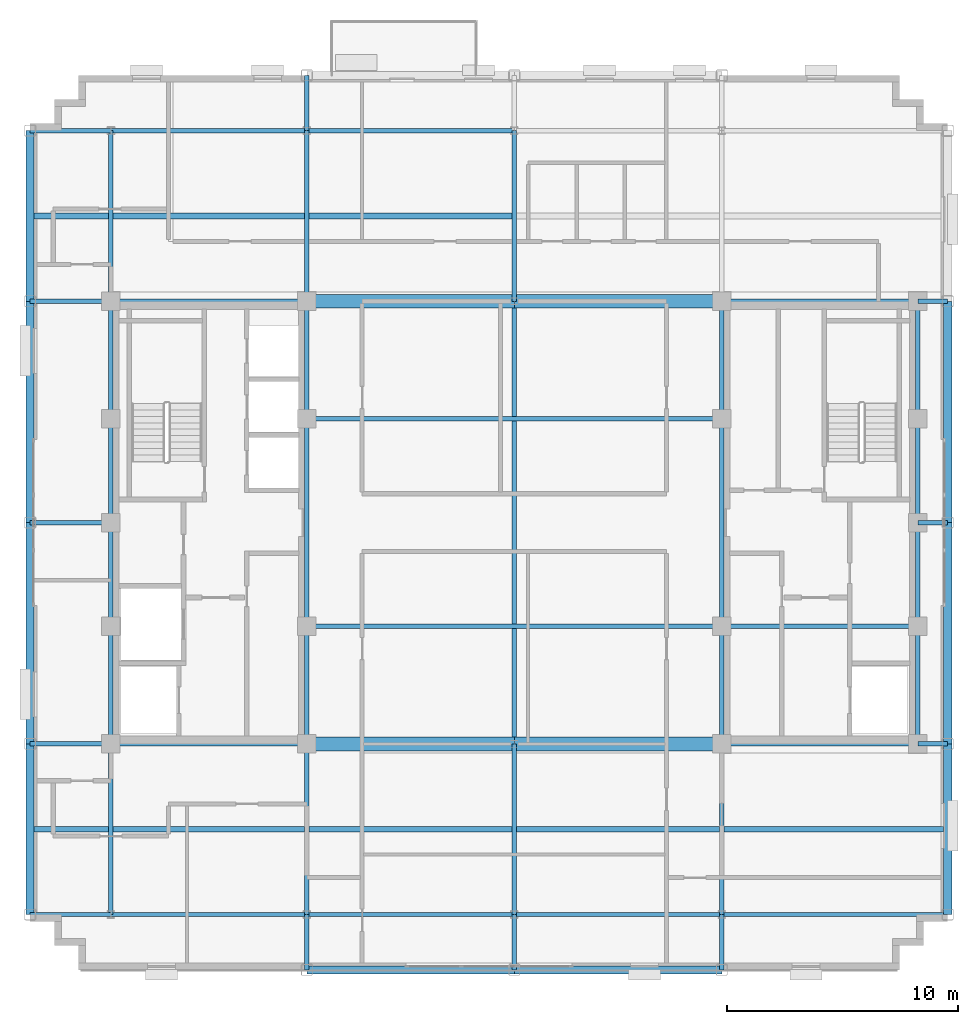
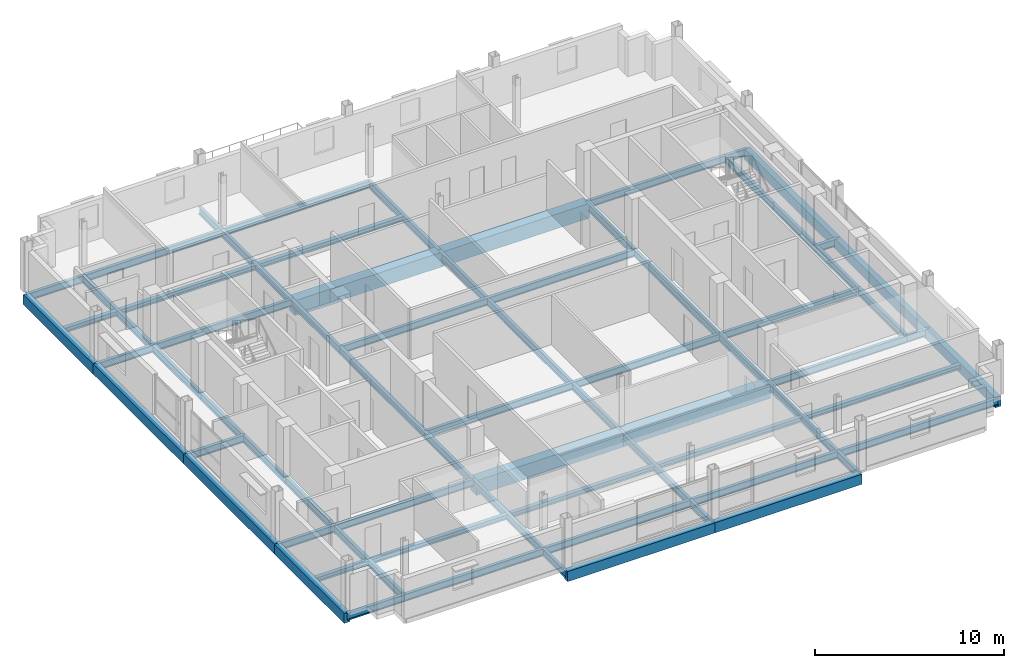
# One storey, part 4 of 16: 68 beams.
"""IFC4 building model written with IfcOpenShell, lengths in metres."""

from ifc_helpers import new_model, si_unit, direction, frame, origin, origin_2d, place, context, subcontext, project, spatial, rectangle, i_section, extrude, material, material_profile, profile_set, type_object, element, save


model = new_model("IFC4")

# Units and contexts
model_context = context("Model", 3, precision=1e-05, world=origin(), true_north=direction((0.0, 1.0)))
body_context = subcontext(model_context, "Body", "Model", "MODEL_VIEW")
ifc_project = project(units=[si_unit("LENGTHUNIT", "METRE"), si_unit("AREAUNIT", "SQUARE_METRE"), si_unit("VOLUMEUNIT", "CUBIC_METRE"), si_unit("PLANEANGLEUNIT", "RADIAN"), si_unit("MASSUNIT", "GRAM", prefix="KILO")], contexts=[model_context])

# Site, building, storey
site_placement = place(None, origin())
site = spatial("IfcSite", under=ifc_project, at=site_placement, CompositionType="ELEMENT")
building_placement = place(site_placement, origin())
building = spatial("IfcBuilding", under=site, at=building_placement, Name="Nuvemarco Arch Tower", CompositionType="ELEMENT")
storey_placement = place(building_placement, frame((0.0, 0.0, 249.300048828125)))
storey = spatial("IfcBuildingStorey", under=building, at=storey_placement, Name="L66", CompositionType="ELEMENT", Elevation=249.300048828125)

# Beams
ifc_material_1 = material(Name="Concrete C60/75", Category="concrete")
ifc_material_profile_1 = material_profile(ifc_material_1, rectangle(XDim=0.60009765625, YDim=0.949951171875, at=origin_2d()), Name="RC-BM-600x950")
ifc_profile_set_1 = profile_set([ifc_material_profile_1], Name="Concrete C60/75")
beam_type_1 = type_object("IfcBeamType", Name="BM-COUP-RC", PredefinedType="LINTEL", material=ifc_profile_set_1)
for number, where, z_axis, x_axis, name in (
    (1, (-9.0, -9.60009765625, -0.755126953125), (1.0, 0.0, 0.0), (0.0, 1.0, 0.0), "L66 structural beam BGEW_L66_0_-9.6_-9.0"),
    (2, (0.0, -9.60009765625, -0.755126953125), (1.0, 0.0, 0.0), (0.0, 1.0, 0.0), "L66 structural beam BGEW_L66_0_-9.6_+0.0"),
    (3, (-9.0, 9.60009765625, -0.755126953125), (1.0, 0.0, 0.0), (0.0, 1.0, 0.0), "L66 structural beam BGEW_L66_0_+9.6_-9.0"),
    (4, (0.0, 9.60009765625, -0.755126953125), (1.0, 0.0, 0.0), (0.0, 1.0, 0.0), "L66 structural beam BGEW_L66_0_+9.6_+0.0"),
):
    element("IfcBeam", number, at=place(storey_placement, frame(where, z_axis=z_axis, x_axis=x_axis)), inside=storey, type_object=beam_type_1, Name=name, PredefinedType="LINTEL", context=body_context, shape_type="SweptSolid", body=[
        extrude(rectangle(XDim=0.60009765625, YDim=0.949951171875, at=origin_2d()), origin(), (0.0, 0.0, 1.0), 9.0),
    ])
ifc_material_2 = material(Name="Steel S355", Category="steel")
ifc_material_profile_2 = material_profile(ifc_material_2, i_section(OverallWidth=0.19189453125, OverallDepth=0.462890625, WebThickness=0.010498046875, FlangeThickness=0.017578125, FilletRadius=0.014892578125, at=origin_2d()), Name="W460x89")
ifc_profile_set_2 = profile_set([ifc_material_profile_2], Name="Steel S355")
beam_type_2 = type_object("IfcBeamType", Name="BM-GIRD-460", PredefinedType="BEAM", material=ifc_profile_set_2)
beam_1_placement = place(storey_placement, frame((-17.5, -17.0, -0.511474609375), z_axis=(0.0, 1.0, 0.0), x_axis=(-1.0, 0.0, 0.0)))
element("IfcBeam", 5, at=beam_1_placement, inside=storey, type_object=beam_type_2, Name="L66 structural beam BGNS_L66_0_-17.5_-17.0", PredefinedType="BEAM", context=body_context, shape_type="SweptSolid", body=[
    extrude(i_section(OverallWidth=0.19189453125, OverallDepth=0.462890625, WebThickness=0.010498046875, FlangeThickness=0.017578125, FilletRadius=0.014892578125, at=origin_2d()), origin(), (0.0, 0.0, 1.0), 7.39990234375),
])
beam_2_placement = place(storey_placement, frame((-17.5, -9.60009765625, -0.511474609375), z_axis=(0.0, 1.0, 0.0), x_axis=(-1.0, 0.0, 0.0)))
element("IfcBeam", 6, at=beam_2_placement, inside=storey, type_object=beam_type_2, Name="L66 structural beam BGNS_L66_0_-17.5_-9.6", PredefinedType="BEAM", context=body_context, shape_type="SweptSolid", body=[
    extrude(i_section(OverallWidth=0.19189453125, OverallDepth=0.462890625, WebThickness=0.010498046875, FlangeThickness=0.017578125, FilletRadius=0.014892578125, at=origin_2d()), origin(), (0.0, 0.0, 1.0), 5.10009765625),
])
for number, where, z_axis, x_axis, name in (
    (7, (-17.5, -4.5, -0.511474609375), (0.0, 1.0, 0.0), (-1.0, 0.0, 0.0), "L66 structural beam BGNS_L66_0_-17.5_-4.5"),
    (8, (-17.5, 0.0, -0.511474609375), (0.0, 1.0, 0.0), (-1.0, 0.0, 0.0), "L66 structural beam BGNS_L66_0_-17.5_+0.0"),
):
    element("IfcBeam", number, at=place(storey_placement, frame(where, z_axis=z_axis, x_axis=x_axis)), inside=storey, type_object=beam_type_2, Name=name, PredefinedType="BEAM", context=body_context, shape_type="SweptSolid", body=[
        extrude(i_section(OverallWidth=0.19189453125, OverallDepth=0.462890625, WebThickness=0.010498046875, FlangeThickness=0.017578125, FilletRadius=0.014892578125, at=origin_2d()), origin(), (0.0, 0.0, 1.0), 4.5),
    ])
beam_3_placement = place(storey_placement, frame((-17.5, 4.5, -0.511474609375), z_axis=(0.0, 1.0, 0.0), x_axis=(-1.0, 0.0, 0.0)))
element("IfcBeam", 9, at=beam_3_placement, inside=storey, type_object=beam_type_2, Name="L66 structural beam BGNS_L66_0_-17.5_+4.5", PredefinedType="BEAM", context=body_context, shape_type="SweptSolid", body=[
    extrude(i_section(OverallWidth=0.19189453125, OverallDepth=0.462890625, WebThickness=0.010498046875, FlangeThickness=0.017578125, FilletRadius=0.014892578125, at=origin_2d()), origin(), (0.0, 0.0, 1.0), 5.10009765625),
])
beam_4_placement = place(storey_placement, frame((-17.5, 9.60009765625, -0.511474609375), z_axis=(0.0, 1.0, 0.0), x_axis=(-1.0, 0.0, 0.0)))
element("IfcBeam", 10, at=beam_4_placement, inside=storey, type_object=beam_type_2, Name="L66 structural beam BGNS_L66_0_-17.5_+9.6", PredefinedType="BEAM", context=body_context, shape_type="SweptSolid", body=[
    extrude(i_section(OverallWidth=0.19189453125, OverallDepth=0.462890625, WebThickness=0.010498046875, FlangeThickness=0.017578125, FilletRadius=0.014892578125, at=origin_2d()), origin(), (0.0, 0.0, 1.0), 7.39990234375),
])
beam_5_placement = place(storey_placement, frame((-9.0, -19.39990234375, -0.511474609375), z_axis=(0.0, 1.0, 0.0), x_axis=(-1.0, 0.0, 0.0)))
element("IfcBeam", 11, at=beam_5_placement, inside=storey, type_object=beam_type_2, Name="L66 structural beam BGNS_L66_0_-9.0_-19.4", PredefinedType="BEAM", context=body_context, shape_type="SweptSolid", body=[
    extrude(i_section(OverallWidth=0.19189453125, OverallDepth=0.462890625, WebThickness=0.010498046875, FlangeThickness=0.017578125, FilletRadius=0.014892578125, at=origin_2d()), origin(), (0.0, 0.0, 1.0), 2.39990234375),
])
beam_6_placement = place(storey_placement, frame((-9.0, -17.0, -0.511474609375), z_axis=(0.0, 1.0, 0.0), x_axis=(-1.0, 0.0, 0.0)))
element("IfcBeam", 12, at=beam_6_placement, inside=storey, type_object=beam_type_2, Name="L66 structural beam BGNS_L66_0_-9.0_-17.0", PredefinedType="BEAM", context=body_context, shape_type="SweptSolid", body=[
    extrude(i_section(OverallWidth=0.19189453125, OverallDepth=0.462890625, WebThickness=0.010498046875, FlangeThickness=0.017578125, FilletRadius=0.014892578125, at=origin_2d()), origin(), (0.0, 0.0, 1.0), 7.39990234375),
])
beam_7_placement = place(storey_placement, frame((-9.0, -9.60009765625, -0.511474609375), z_axis=(0.0, 1.0, 0.0), x_axis=(-1.0, 0.0, 0.0)))
element("IfcBeam", 13, at=beam_7_placement, inside=storey, type_object=beam_type_2, Name="L66 structural beam BGNS_L66_0_-9.0_-9.6", PredefinedType="BEAM", context=body_context, shape_type="SweptSolid", body=[
    extrude(i_section(OverallWidth=0.19189453125, OverallDepth=0.462890625, WebThickness=0.010498046875, FlangeThickness=0.017578125, FilletRadius=0.014892578125, at=origin_2d()), origin(), (0.0, 0.0, 1.0), 5.10009765625),
])
beam_8_placement = place(storey_placement, frame((-9.0, -4.5, -0.511474609375), z_axis=(0.0, 1.0, 0.0), x_axis=(-1.0, 0.0, 0.0)))
element("IfcBeam", 14, at=beam_8_placement, inside=storey, type_object=beam_type_2, Name="L66 structural beam BGNS_L66_0_-9.0_-4.5", PredefinedType="BEAM", context=body_context, shape_type="SweptSolid", body=[
    extrude(i_section(OverallWidth=0.19189453125, OverallDepth=0.462890625, WebThickness=0.010498046875, FlangeThickness=0.017578125, FilletRadius=0.014892578125, at=origin_2d()), origin(), (0.0, 0.0, 1.0), 9.0),
])
beam_9_placement = place(storey_placement, frame((-9.0, 4.5, -0.511474609375), z_axis=(0.0, 1.0, 0.0), x_axis=(-1.0, 0.0, 0.0)))
element("IfcBeam", 15, at=beam_9_placement, inside=storey, type_object=beam_type_2, Name="L66 structural beam BGNS_L66_0_-9.0_+4.5", PredefinedType="BEAM", context=body_context, shape_type="SweptSolid", body=[
    extrude(i_section(OverallWidth=0.19189453125, OverallDepth=0.462890625, WebThickness=0.010498046875, FlangeThickness=0.017578125, FilletRadius=0.014892578125, at=origin_2d()), origin(), (0.0, 0.0, 1.0), 5.10009765625),
])
beam_10_placement = place(storey_placement, frame((-9.0, 9.60009765625, -0.511474609375), z_axis=(0.0, 1.0, 0.0), x_axis=(-1.0, 0.0, 0.0)))
element("IfcBeam", 16, at=beam_10_placement, inside=storey, type_object=beam_type_2, Name="L66 structural beam BGNS_L66_0_-9.0_+9.6", PredefinedType="BEAM", context=body_context, shape_type="SweptSolid", body=[
    extrude(i_section(OverallWidth=0.19189453125, OverallDepth=0.462890625, WebThickness=0.010498046875, FlangeThickness=0.017578125, FilletRadius=0.014892578125, at=origin_2d()), origin(), (0.0, 0.0, 1.0), 7.39990234375),
])
for number, where, z_axis, x_axis, name in (
    (17, (-9.0, 17.0, -0.511474609375), (0.0, 1.0, 0.0), (-1.0, 0.0, 0.0), "L66 structural beam BGNS_L66_0_-9.0_+17.0"),
    (18, (0.0, -19.39990234375, -0.511474609375), (0.0, 1.0, 0.0), (-1.0, 0.0, 0.0), "L66 structural beam BGNS_L66_0_+0.0_-19.4"),
):
    element("IfcBeam", number, at=place(storey_placement, frame(where, z_axis=z_axis, x_axis=x_axis)), inside=storey, type_object=beam_type_2, Name=name, PredefinedType="BEAM", context=body_context, shape_type="SweptSolid", body=[
        extrude(i_section(OverallWidth=0.19189453125, OverallDepth=0.462890625, WebThickness=0.010498046875, FlangeThickness=0.017578125, FilletRadius=0.014892578125, at=origin_2d()), origin(), (0.0, 0.0, 1.0), 2.39990234375),
    ])
beam_11_placement = place(storey_placement, frame((0.0, -17.0, -0.511474609375), z_axis=(0.0, 1.0, 0.0), x_axis=(-1.0, 0.0, 0.0)))
element("IfcBeam", 19, at=beam_11_placement, inside=storey, type_object=beam_type_2, Name="L66 structural beam BGNS_L66_0_+0.0_-17.0", PredefinedType="BEAM", context=body_context, shape_type="SweptSolid", body=[
    extrude(i_section(OverallWidth=0.19189453125, OverallDepth=0.462890625, WebThickness=0.010498046875, FlangeThickness=0.017578125, FilletRadius=0.014892578125, at=origin_2d()), origin(), (0.0, 0.0, 1.0), 7.39990234375),
])
beam_12_placement = place(storey_placement, frame((0.0, -9.60009765625, -0.511474609375), z_axis=(0.0, 1.0, 0.0), x_axis=(-1.0, 0.0, 0.0)))
element("IfcBeam", 20, at=beam_12_placement, inside=storey, type_object=beam_type_2, Name="L66 structural beam BGNS_L66_0_+0.0_-9.6", PredefinedType="BEAM", context=body_context, shape_type="SweptSolid", body=[
    extrude(i_section(OverallWidth=0.19189453125, OverallDepth=0.462890625, WebThickness=0.010498046875, FlangeThickness=0.017578125, FilletRadius=0.014892578125, at=origin_2d()), origin(), (0.0, 0.0, 1.0), 19.2001953125),
])
beam_13_placement = place(storey_placement, frame((0.0, 9.60009765625, -0.511474609375), z_axis=(0.0, 1.0, 0.0), x_axis=(-1.0, 0.0, 0.0)))
element("IfcBeam", 21, at=beam_13_placement, inside=storey, type_object=beam_type_2, Name="L66 structural beam BGNS_L66_0_+0.0_+9.6", PredefinedType="BEAM", context=body_context, shape_type="SweptSolid", body=[
    extrude(i_section(OverallWidth=0.19189453125, OverallDepth=0.462890625, WebThickness=0.010498046875, FlangeThickness=0.017578125, FilletRadius=0.014892578125, at=origin_2d()), origin(), (0.0, 0.0, 1.0), 7.39990234375),
])
beam_14_placement = place(storey_placement, frame((9.0, -19.39990234375, -0.511474609375), z_axis=(0.0, 1.0, 0.0), x_axis=(-1.0, 0.0, 0.0)))
element("IfcBeam", 22, at=beam_14_placement, inside=storey, type_object=beam_type_2, Name="L66 structural beam BGNS_L66_0_+9.0_-19.4", PredefinedType="BEAM", context=body_context, shape_type="SweptSolid", body=[
    extrude(i_section(OverallWidth=0.19189453125, OverallDepth=0.462890625, WebThickness=0.010498046875, FlangeThickness=0.017578125, FilletRadius=0.014892578125, at=origin_2d()), origin(), (0.0, 0.0, 1.0), 2.39990234375),
])
beam_15_placement = place(storey_placement, frame((9.0, -17.0, -0.511474609375), z_axis=(0.0, 1.0, 0.0), x_axis=(-1.0, 0.0, 0.0)))
element("IfcBeam", 23, at=beam_15_placement, inside=storey, type_object=beam_type_2, Name="L66 structural beam BGNS_L66_0_+9.0_-17.0", PredefinedType="BEAM", context=body_context, shape_type="SweptSolid", body=[
    extrude(i_section(OverallWidth=0.19189453125, OverallDepth=0.462890625, WebThickness=0.010498046875, FlangeThickness=0.017578125, FilletRadius=0.014892578125, at=origin_2d()), origin(), (0.0, 0.0, 1.0), 7.39990234375),
])
beam_16_placement = place(storey_placement, frame((9.0, -9.60009765625, -0.511474609375), z_axis=(0.0, 1.0, 0.0), x_axis=(-1.0, 0.0, 0.0)))
element("IfcBeam", 24, at=beam_16_placement, inside=storey, type_object=beam_type_2, Name="L66 structural beam BGNS_L66_0_+9.0_-9.6", PredefinedType="BEAM", context=body_context, shape_type="SweptSolid", body=[
    extrude(i_section(OverallWidth=0.19189453125, OverallDepth=0.462890625, WebThickness=0.010498046875, FlangeThickness=0.017578125, FilletRadius=0.014892578125, at=origin_2d()), origin(), (0.0, 0.0, 1.0), 5.10009765625),
])
beam_17_placement = place(storey_placement, frame((9.0, -4.5, -0.511474609375), z_axis=(0.0, 1.0, 0.0), x_axis=(-1.0, 0.0, 0.0)))
element("IfcBeam", 25, at=beam_17_placement, inside=storey, type_object=beam_type_2, Name="L66 structural beam BGNS_L66_0_+9.0_-4.5", PredefinedType="BEAM", context=body_context, shape_type="SweptSolid", body=[
    extrude(i_section(OverallWidth=0.19189453125, OverallDepth=0.462890625, WebThickness=0.010498046875, FlangeThickness=0.017578125, FilletRadius=0.014892578125, at=origin_2d()), origin(), (0.0, 0.0, 1.0), 9.0),
])
for number, where, z_axis, x_axis, name in (
    (26, (9.0, 4.5, -0.511474609375), (0.0, 1.0, 0.0), (-1.0, 0.0, 0.0), "L66 structural beam BGNS_L66_0_+9.0_+4.5"),
    (27, (17.5, -9.60009765625, -0.511474609375), (0.0, 1.0, 0.0), (-1.0, 0.0, 0.0), "L66 structural beam BGNS_L66_0_+17.5_-9.6"),
):
    element("IfcBeam", number, at=place(storey_placement, frame(where, z_axis=z_axis, x_axis=x_axis)), inside=storey, type_object=beam_type_2, Name=name, PredefinedType="BEAM", context=body_context, shape_type="SweptSolid", body=[
        extrude(i_section(OverallWidth=0.19189453125, OverallDepth=0.462890625, WebThickness=0.010498046875, FlangeThickness=0.017578125, FilletRadius=0.014892578125, at=origin_2d()), origin(), (0.0, 0.0, 1.0), 5.10009765625),
    ])
for number, where, z_axis, x_axis, name in (
    (28, (17.5, -4.5, -0.511474609375), (0.0, 1.0, 0.0), (-1.0, 0.0, 0.0), "L66 structural beam BGNS_L66_0_+17.5_-4.5"),
    (29, (17.5, 0.0, -0.511474609375), (0.0, 1.0, 0.0), (-1.0, 0.0, 0.0), "L66 structural beam BGNS_L66_0_+17.5_+0.0"),
):
    element("IfcBeam", number, at=place(storey_placement, frame(where, z_axis=z_axis, x_axis=x_axis)), inside=storey, type_object=beam_type_2, Name=name, PredefinedType="BEAM", context=body_context, shape_type="SweptSolid", body=[
        extrude(i_section(OverallWidth=0.19189453125, OverallDepth=0.462890625, WebThickness=0.010498046875, FlangeThickness=0.017578125, FilletRadius=0.014892578125, at=origin_2d()), origin(), (0.0, 0.0, 1.0), 4.5),
    ])
beam_18_placement = place(storey_placement, frame((17.5, 4.5, -0.511474609375), z_axis=(0.0, 1.0, 0.0), x_axis=(-1.0, 0.0, 0.0)))
element("IfcBeam", 30, at=beam_18_placement, inside=storey, type_object=beam_type_2, Name="L66 structural beam BGNS_L66_0_+17.5_+4.5", PredefinedType="BEAM", context=body_context, shape_type="SweptSolid", body=[
    extrude(i_section(OverallWidth=0.19189453125, OverallDepth=0.462890625, WebThickness=0.010498046875, FlangeThickness=0.017578125, FilletRadius=0.014892578125, at=origin_2d()), origin(), (0.0, 0.0, 1.0), 5.10009765625),
])
beam_19_placement = place(storey_placement, frame((-21.0, -17.0, -0.511474609375), z_axis=(1.0, 0.0, 0.0), x_axis=(0.0, 1.0, 0.0)))
element("IfcBeam", 31, at=beam_19_placement, inside=storey, type_object=beam_type_2, Name="L66 structural beam BGEW_L66_0_-17.0_-21.0", PredefinedType="BEAM", context=body_context, shape_type="SweptSolid", body=[
    extrude(i_section(OverallWidth=0.19189453125, OverallDepth=0.462890625, WebThickness=0.010498046875, FlangeThickness=0.017578125, FilletRadius=0.014892578125, at=origin_2d()), origin(), (0.0, 0.0, 1.0), 3.5),
])
beam_20_placement = place(storey_placement, frame((-17.5, -17.0, -0.511474609375), z_axis=(1.0, 0.0, 0.0), x_axis=(0.0, 1.0, 0.0)))
element("IfcBeam", 32, at=beam_20_placement, inside=storey, type_object=beam_type_2, Name="L66 structural beam BGEW_L66_0_-17.0_-17.5", PredefinedType="BEAM", context=body_context, shape_type="SweptSolid", body=[
    extrude(i_section(OverallWidth=0.19189453125, OverallDepth=0.462890625, WebThickness=0.010498046875, FlangeThickness=0.017578125, FilletRadius=0.014892578125, at=origin_2d()), origin(), (0.0, 0.0, 1.0), 8.5),
])
for number, where, z_axis, x_axis, name in (
    (33, (-9.0, -17.0, -0.511474609375), (1.0, 0.0, 0.0), (0.0, 1.0, 0.0), "L66 structural beam BGEW_L66_0_-17.0_-9.0"),
    (34, (0.0, -17.0, -0.511474609375), (1.0, 0.0, 0.0), (0.0, 1.0, 0.0), "L66 structural beam BGEW_L66_0_-17.0_+0.0"),
):
    element("IfcBeam", number, at=place(storey_placement, frame(where, z_axis=z_axis, x_axis=x_axis)), inside=storey, type_object=beam_type_2, Name=name, PredefinedType="BEAM", context=body_context, shape_type="SweptSolid", body=[
        extrude(i_section(OverallWidth=0.19189453125, OverallDepth=0.462890625, WebThickness=0.010498046875, FlangeThickness=0.017578125, FilletRadius=0.014892578125, at=origin_2d()), origin(), (0.0, 0.0, 1.0), 9.0),
    ])
beam_21_placement = place(storey_placement, frame((9.0, -17.0, -0.511474609375), z_axis=(1.0, 0.0, 0.0), x_axis=(0.0, 1.0, 0.0)))
element("IfcBeam", 35, at=beam_21_placement, inside=storey, type_object=beam_type_2, Name="L66 structural beam BGEW_L66_0_-17.0_+9.0", PredefinedType="BEAM", context=body_context, shape_type="SweptSolid", body=[
    extrude(i_section(OverallWidth=0.19189453125, OverallDepth=0.462890625, WebThickness=0.010498046875, FlangeThickness=0.017578125, FilletRadius=0.014892578125, at=origin_2d()), origin(), (0.0, 0.0, 1.0), 9.800048828125),
])
beam_22_placement = place(storey_placement, frame((-21.0, -9.60009765625, -0.511474609375), z_axis=(1.0, 0.0, 0.0), x_axis=(0.0, 1.0, 0.0)))
element("IfcBeam", 36, at=beam_22_placement, inside=storey, type_object=beam_type_2, Name="L66 structural beam BGEW_L66_0_-9.6_-21.0", PredefinedType="BEAM", context=body_context, shape_type="SweptSolid", body=[
    extrude(i_section(OverallWidth=0.19189453125, OverallDepth=0.462890625, WebThickness=0.010498046875, FlangeThickness=0.017578125, FilletRadius=0.014892578125, at=origin_2d()), origin(), (0.0, 0.0, 1.0), 3.5),
])
for number, where, z_axis, x_axis, name in (
    (37, (-17.5, -9.60009765625, -0.511474609375), (1.0, 0.0, 0.0), (0.0, 1.0, 0.0), "L66 structural beam BGEW_L66_0_-9.6_-17.5"),
    (38, (9.0, -9.60009765625, -0.511474609375), (1.0, 0.0, 0.0), (0.0, 1.0, 0.0), "L66 structural beam BGEW_L66_0_-9.6_+9.0"),
):
    element("IfcBeam", number, at=place(storey_placement, frame(where, z_axis=z_axis, x_axis=x_axis)), inside=storey, type_object=beam_type_2, Name=name, PredefinedType="BEAM", context=body_context, shape_type="SweptSolid", body=[
        extrude(i_section(OverallWidth=0.19189453125, OverallDepth=0.462890625, WebThickness=0.010498046875, FlangeThickness=0.017578125, FilletRadius=0.014892578125, at=origin_2d()), origin(), (0.0, 0.0, 1.0), 8.5),
    ])
beam_23_placement = place(storey_placement, frame((17.5, -9.60009765625, -0.511474609375), z_axis=(1.0, 0.0, 0.0), x_axis=(0.0, 1.0, 0.0)))
element("IfcBeam", 39, at=beam_23_placement, inside=storey, type_object=beam_type_2, Name="L66 structural beam BGEW_L66_0_-9.6_+17.5", PredefinedType="BEAM", context=body_context, shape_type="SweptSolid", body=[
    extrude(i_section(OverallWidth=0.19189453125, OverallDepth=0.462890625, WebThickness=0.010498046875, FlangeThickness=0.017578125, FilletRadius=0.014892578125, at=origin_2d()), origin(), (0.0, 0.0, 1.0), 1.300048828125),
])
beam_24_placement = place(storey_placement, frame((-9.0, -4.5, -0.511474609375), z_axis=(1.0, 0.0, 0.0), x_axis=(0.0, 1.0, 0.0)))
element("IfcBeam", 40, at=beam_24_placement, inside=storey, type_object=beam_type_2, Name="L66 structural beam BGEW_L66_0_-4.5_-9.0", PredefinedType="BEAM", context=body_context, shape_type="SweptSolid", body=[
    extrude(i_section(OverallWidth=0.19189453125, OverallDepth=0.462890625, WebThickness=0.010498046875, FlangeThickness=0.017578125, FilletRadius=0.014892578125, at=origin_2d()), origin(), (0.0, 0.0, 1.0), 18.0),
])
beam_25_placement = place(storey_placement, frame((9.0, -4.5, -0.511474609375), z_axis=(1.0, 0.0, 0.0), x_axis=(0.0, 1.0, 0.0)))
element("IfcBeam", 41, at=beam_25_placement, inside=storey, type_object=beam_type_2, Name="L66 structural beam BGEW_L66_0_-4.5_+9.0", PredefinedType="BEAM", context=body_context, shape_type="SweptSolid", body=[
    extrude(i_section(OverallWidth=0.19189453125, OverallDepth=0.462890625, WebThickness=0.010498046875, FlangeThickness=0.017578125, FilletRadius=0.014892578125, at=origin_2d()), origin(), (0.0, 0.0, 1.0), 8.5),
])
beam_26_placement = place(storey_placement, frame((-21.0, 0.0, -0.511474609375), z_axis=(1.0, 0.0, 0.0), x_axis=(0.0, 1.0, 0.0)))
element("IfcBeam", 42, at=beam_26_placement, inside=storey, type_object=beam_type_2, Name="L66 structural beam BGEW_L66_0_+0.0_-21.0", PredefinedType="BEAM", context=body_context, shape_type="SweptSolid", body=[
    extrude(i_section(OverallWidth=0.19189453125, OverallDepth=0.462890625, WebThickness=0.010498046875, FlangeThickness=0.017578125, FilletRadius=0.014892578125, at=origin_2d()), origin(), (0.0, 0.0, 1.0), 3.5),
])
beam_27_placement = place(storey_placement, frame((17.5, 0.0, -0.511474609375), z_axis=(1.0, 0.0, 0.0), x_axis=(0.0, 1.0, 0.0)))
element("IfcBeam", 43, at=beam_27_placement, inside=storey, type_object=beam_type_2, Name="L66 structural beam BGEW_L66_0_+0.0_+17.5", PredefinedType="BEAM", context=body_context, shape_type="SweptSolid", body=[
    extrude(i_section(OverallWidth=0.19189453125, OverallDepth=0.462890625, WebThickness=0.010498046875, FlangeThickness=0.017578125, FilletRadius=0.014892578125, at=origin_2d()), origin(), (0.0, 0.0, 1.0), 1.300048828125),
])
beam_28_placement = place(storey_placement, frame((-9.0, 4.5, -0.511474609375), z_axis=(1.0, 0.0, 0.0), x_axis=(0.0, 1.0, 0.0)))
element("IfcBeam", 44, at=beam_28_placement, inside=storey, type_object=beam_type_2, Name="L66 structural beam BGEW_L66_0_+4.5_-9.0", PredefinedType="BEAM", context=body_context, shape_type="SweptSolid", body=[
    extrude(i_section(OverallWidth=0.19189453125, OverallDepth=0.462890625, WebThickness=0.010498046875, FlangeThickness=0.017578125, FilletRadius=0.014892578125, at=origin_2d()), origin(), (0.0, 0.0, 1.0), 18.0),
])
beam_29_placement = place(storey_placement, frame((-21.0, 9.60009765625, -0.511474609375), z_axis=(1.0, 0.0, 0.0), x_axis=(0.0, 1.0, 0.0)))
element("IfcBeam", 45, at=beam_29_placement, inside=storey, type_object=beam_type_2, Name="L66 structural beam BGEW_L66_0_+9.6_-21.0", PredefinedType="BEAM", context=body_context, shape_type="SweptSolid", body=[
    extrude(i_section(OverallWidth=0.19189453125, OverallDepth=0.462890625, WebThickness=0.010498046875, FlangeThickness=0.017578125, FilletRadius=0.014892578125, at=origin_2d()), origin(), (0.0, 0.0, 1.0), 3.5),
])
for number, where, z_axis, x_axis, name in (
    (46, (-17.5, 9.60009765625, -0.511474609375), (1.0, 0.0, 0.0), (0.0, 1.0, 0.0), "L66 structural beam BGEW_L66_0_+9.6_-17.5"),
    (47, (9.0, 9.60009765625, -0.511474609375), (1.0, 0.0, 0.0), (0.0, 1.0, 0.0), "L66 structural beam BGEW_L66_0_+9.6_+9.0"),
):
    element("IfcBeam", number, at=place(storey_placement, frame(where, z_axis=z_axis, x_axis=x_axis)), inside=storey, type_object=beam_type_2, Name=name, PredefinedType="BEAM", context=body_context, shape_type="SweptSolid", body=[
        extrude(i_section(OverallWidth=0.19189453125, OverallDepth=0.462890625, WebThickness=0.010498046875, FlangeThickness=0.017578125, FilletRadius=0.014892578125, at=origin_2d()), origin(), (0.0, 0.0, 1.0), 8.5),
    ])
beam_30_placement = place(storey_placement, frame((17.5, 9.60009765625, -0.511474609375), z_axis=(1.0, 0.0, 0.0), x_axis=(0.0, 1.0, 0.0)))
element("IfcBeam", 48, at=beam_30_placement, inside=storey, type_object=beam_type_2, Name="L66 structural beam BGEW_L66_0_+9.6_+17.5", PredefinedType="BEAM", context=body_context, shape_type="SweptSolid", body=[
    extrude(i_section(OverallWidth=0.19189453125, OverallDepth=0.462890625, WebThickness=0.010498046875, FlangeThickness=0.017578125, FilletRadius=0.014892578125, at=origin_2d()), origin(), (0.0, 0.0, 1.0), 1.300048828125),
])
beam_31_placement = place(storey_placement, frame((-21.0, 17.0, -0.511474609375), z_axis=(1.0, 0.0, 0.0), x_axis=(0.0, 1.0, 0.0)))
element("IfcBeam", 49, at=beam_31_placement, inside=storey, type_object=beam_type_2, Name="L66 structural beam BGEW_L66_0_+17.0_-21.0", PredefinedType="BEAM", context=body_context, shape_type="SweptSolid", body=[
    extrude(i_section(OverallWidth=0.19189453125, OverallDepth=0.462890625, WebThickness=0.010498046875, FlangeThickness=0.017578125, FilletRadius=0.014892578125, at=origin_2d()), origin(), (0.0, 0.0, 1.0), 3.5),
])
beam_32_placement = place(storey_placement, frame((-17.5, 17.0, -0.511474609375), z_axis=(1.0, 0.0, 0.0), x_axis=(0.0, 1.0, 0.0)))
element("IfcBeam", 50, at=beam_32_placement, inside=storey, type_object=beam_type_2, Name="L66 structural beam BGEW_L66_0_+17.0_-17.5", PredefinedType="BEAM", context=body_context, shape_type="SweptSolid", body=[
    extrude(i_section(OverallWidth=0.19189453125, OverallDepth=0.462890625, WebThickness=0.010498046875, FlangeThickness=0.017578125, FilletRadius=0.014892578125, at=origin_2d()), origin(), (0.0, 0.0, 1.0), 8.5),
])
beam_33_placement = place(storey_placement, frame((-9.0, 17.0, -0.511474609375), z_axis=(1.0, 0.0, 0.0), x_axis=(0.0, 1.0, 0.0)))
element("IfcBeam", 51, at=beam_33_placement, inside=storey, type_object=beam_type_2, Name="L66 structural beam BGEW_L66_0_+17.0_-9.0", PredefinedType="BEAM", context=body_context, shape_type="SweptSolid", body=[
    extrude(i_section(OverallWidth=0.19189453125, OverallDepth=0.462890625, WebThickness=0.010498046875, FlangeThickness=0.017578125, FilletRadius=0.014892578125, at=origin_2d()), origin(), (0.0, 0.0, 1.0), 9.0),
])
ifc_material_profile_3 = material_profile(ifc_material_2, i_section(OverallWidth=0.25390625, OverallDepth=0.305908203125, WebThickness=0.0087890625, FlangeThickness=0.0146484375, FilletRadius=0.014892578125, at=origin_2d()), Name="W310x79")
ifc_profile_set_3 = profile_set([ifc_material_profile_3], Name="Steel S355")
beam_type_3 = type_object("IfcBeamType", Name="BM-JOIST-310H", PredefinedType="JOIST", material=ifc_profile_set_3)
beam_34_placement = place(storey_placement, frame((-20.824951171875, -13.300048828125, -0.43310546875), z_axis=(1.0, 0.0, 0.0), x_axis=(0.0, 1.0, 0.0)))
element("IfcBeam", 52, at=beam_34_placement, inside=storey, type_object=beam_type_3, Name="L66 structural beam BJ_L66_0_-13.3_-21.0", PredefinedType="JOIST", context=body_context, shape_type="SweptSolid", body=[
    extrude(i_section(OverallWidth=0.25390625, OverallDepth=0.305908203125, WebThickness=0.0087890625, FlangeThickness=0.0146484375, FilletRadius=0.014892578125, at=origin_2d()), origin(), (0.0, 0.0, 1.0), 3.22900390625),
])
beam_35_placement = place(storey_placement, frame((-17.404052734375, -13.300048828125, -0.43310546875), z_axis=(1.0, 0.0, 0.0), x_axis=(0.0, 1.0, 0.0)))
element("IfcBeam", 53, at=beam_35_placement, inside=storey, type_object=beam_type_3, Name="L66 structural beam BJ_L66_0_-13.3_-17.5", PredefinedType="JOIST", context=body_context, shape_type="SweptSolid", body=[
    extrude(i_section(OverallWidth=0.25390625, OverallDepth=0.305908203125, WebThickness=0.0087890625, FlangeThickness=0.0146484375, FilletRadius=0.014892578125, at=origin_2d()), origin(), (0.0, 0.0, 1.0), 8.30810546875),
])
for number, where, z_axis, x_axis, name in (
    (54, (-8.904052734375, -13.300048828125, -0.43310546875), (1.0, 0.0, 0.0), (0.0, 1.0, 0.0), "L66 structural beam BJ_L66_0_-13.3_-9.0"),
    (55, (0.095947265625, -13.300048828125, -0.43310546875), (1.0, 0.0, 0.0), (0.0, 1.0, 0.0), "L66 structural beam BJ_L66_0_-13.3_+0.0"),
):
    element("IfcBeam", number, at=place(storey_placement, frame(where, z_axis=z_axis, x_axis=x_axis)), inside=storey, type_object=beam_type_3, Name=name, PredefinedType="JOIST", context=body_context, shape_type="SweptSolid", body=[
        extrude(i_section(OverallWidth=0.25390625, OverallDepth=0.305908203125, WebThickness=0.0087890625, FlangeThickness=0.0146484375, FilletRadius=0.014892578125, at=origin_2d()), origin(), (0.0, 0.0, 1.0), 8.80810546875),
    ])
beam_36_placement = place(storey_placement, frame((9.095947265625, -13.300048828125, -0.43310546875), z_axis=(1.0, 0.0, 0.0), x_axis=(0.0, 1.0, 0.0)))
element("IfcBeam", 56, at=beam_36_placement, inside=storey, type_object=beam_type_3, Name="L66 structural beam BJ_L66_0_-13.3_+9.0", PredefinedType="JOIST", context=body_context, shape_type="SweptSolid", body=[
    extrude(i_section(OverallWidth=0.25390625, OverallDepth=0.305908203125, WebThickness=0.0087890625, FlangeThickness=0.0146484375, FilletRadius=0.014892578125, at=origin_2d()), origin(), (0.0, 0.0, 1.0), 9.529052734375),
])
beam_37_placement = place(storey_placement, frame((-20.824951171875, 13.300048828125, -0.43310546875), z_axis=(1.0, 0.0, 0.0), x_axis=(0.0, 1.0, 0.0)))
element("IfcBeam", 57, at=beam_37_placement, inside=storey, type_object=beam_type_3, Name="L66 structural beam BJ_L66_0_+13.3_-21.0", PredefinedType="JOIST", context=body_context, shape_type="SweptSolid", body=[
    extrude(i_section(OverallWidth=0.25390625, OverallDepth=0.305908203125, WebThickness=0.0087890625, FlangeThickness=0.0146484375, FilletRadius=0.014892578125, at=origin_2d()), origin(), (0.0, 0.0, 1.0), 3.22900390625),
])
beam_38_placement = place(storey_placement, frame((-17.404052734375, 13.300048828125, -0.43310546875), z_axis=(1.0, 0.0, 0.0), x_axis=(0.0, 1.0, 0.0)))
element("IfcBeam", 58, at=beam_38_placement, inside=storey, type_object=beam_type_3, Name="L66 structural beam BJ_L66_0_+13.3_-17.5", PredefinedType="JOIST", context=body_context, shape_type="SweptSolid", body=[
    extrude(i_section(OverallWidth=0.25390625, OverallDepth=0.305908203125, WebThickness=0.0087890625, FlangeThickness=0.0146484375, FilletRadius=0.014892578125, at=origin_2d()), origin(), (0.0, 0.0, 1.0), 8.30810546875),
])
beam_39_placement = place(storey_placement, frame((-8.904052734375, 13.300048828125, -0.43310546875), z_axis=(1.0, 0.0, 0.0), x_axis=(0.0, 1.0, 0.0)))
element("IfcBeam", 59, at=beam_39_placement, inside=storey, type_object=beam_type_3, Name="L66 structural beam BJ_L66_0_+13.3_-9.0", PredefinedType="JOIST", context=body_context, shape_type="SweptSolid", body=[
    extrude(i_section(OverallWidth=0.25390625, OverallDepth=0.305908203125, WebThickness=0.0087890625, FlangeThickness=0.0146484375, FilletRadius=0.014892578125, at=origin_2d()), origin(), (0.0, 0.0, 1.0), 8.80810546875),
])
ifc_material_3 = material(Name="Precast concrete C45/55", Category="concrete")
ifc_material_profile_4 = material_profile(ifc_material_3, rectangle(XDim=0.35009765625, YDim=0.64990234375, at=origin_2d()), Name="PC-SP-350x650")
ifc_profile_set_4 = profile_set([ifc_material_profile_4], Name="Precast concrete C45/55")
beam_type_4 = type_object("IfcBeamType", Name="BM-SPAN-RC", PredefinedType="SPANDREL", material=ifc_profile_set_4)
beam_40_placement = place(storey_placement, frame((-21.0, -17.0, -0.60498046875), z_axis=(0.0, 1.0, 0.0), x_axis=(-1.0, 0.0, 0.0)))
element("IfcBeam", 60, at=beam_40_placement, inside=storey, type_object=beam_type_4, Name="L66 structural beam BGNS_L66_0_-21.0_-17.0", PredefinedType="SPANDREL", context=body_context, shape_type="SweptSolid", body=[
    extrude(rectangle(XDim=0.35009765625, YDim=0.64990234375, at=origin_2d()), origin(), (0.0, 0.0, 1.0), 7.39990234375),
])
for number, where, z_axis, x_axis, name in (
    (61, (-21.0, -9.60009765625, -0.60498046875), (0.0, 1.0, 0.0), (-1.0, 0.0, 0.0), "L66 structural beam BGNS_L66_0_-21.0_-9.6"),
    (62, (-21.0, 0.0, -0.60498046875), (0.0, 1.0, 0.0), (-1.0, 0.0, 0.0), "L66 structural beam BGNS_L66_0_-21.0_+0.0"),
):
    element("IfcBeam", number, at=place(storey_placement, frame(where, z_axis=z_axis, x_axis=x_axis)), inside=storey, type_object=beam_type_4, Name=name, PredefinedType="SPANDREL", context=body_context, shape_type="SweptSolid", body=[
        extrude(rectangle(XDim=0.35009765625, YDim=0.64990234375, at=origin_2d()), origin(), (0.0, 0.0, 1.0), 9.60009765625),
    ])
for number, where, z_axis, x_axis, name in (
    (63, (-21.0, 9.60009765625, -0.60498046875), (0.0, 1.0, 0.0), (-1.0, 0.0, 0.0), "L66 structural beam BGNS_L66_0_-21.0_+9.6"),
    (64, (18.800048828125, -17.0, -0.60498046875), (0.0, 1.0, 0.0), (-1.0, 0.0, 0.0), "L66 structural beam BGNS_L66_0_+18.8_-17.0"),
):
    element("IfcBeam", number, at=place(storey_placement, frame(where, z_axis=z_axis, x_axis=x_axis)), inside=storey, type_object=beam_type_4, Name=name, PredefinedType="SPANDREL", context=body_context, shape_type="SweptSolid", body=[
        extrude(rectangle(XDim=0.35009765625, YDim=0.64990234375, at=origin_2d()), origin(), (0.0, 0.0, 1.0), 7.39990234375),
    ])
for number, where, z_axis, x_axis, name in (
    (65, (18.800048828125, -9.60009765625, -0.60498046875), (0.0, 1.0, 0.0), (-1.0, 0.0, 0.0), "L66 structural beam BGNS_L66_0_+18.8_-9.6"),
    (66, (18.800048828125, 0.0, -0.60498046875), (0.0, 1.0, 0.0), (-1.0, 0.0, 0.0), "L66 structural beam BGNS_L66_0_+18.8_+0.0"),
):
    element("IfcBeam", number, at=place(storey_placement, frame(where, z_axis=z_axis, x_axis=x_axis)), inside=storey, type_object=beam_type_4, Name=name, PredefinedType="SPANDREL", context=body_context, shape_type="SweptSolid", body=[
        extrude(rectangle(XDim=0.35009765625, YDim=0.64990234375, at=origin_2d()), origin(), (0.0, 0.0, 1.0), 9.60009765625),
    ])
for number, where, z_axis, x_axis, name in (
    (67, (-9.0, -19.39990234375, -0.60498046875), (1.0, 0.0, 0.0), (0.0, 1.0, 0.0), "L66 structural beam BGEW_L66_0_-19.4_-9.0"),
    (68, (0.0, -19.39990234375, -0.60498046875), (1.0, 0.0, 0.0), (0.0, 1.0, 0.0), "L66 structural beam BGEW_L66_0_-19.4_+0.0"),
):
    element("IfcBeam", number, at=place(storey_placement, frame(where, z_axis=z_axis, x_axis=x_axis)), inside=storey, type_object=beam_type_4, Name=name, PredefinedType="SPANDREL", context=body_context, shape_type="SweptSolid", body=[
        extrude(rectangle(XDim=0.35009765625, YDim=0.64990234375, at=origin_2d()), origin(), (0.0, 0.0, 1.0), 9.0),
    ])

save(model, "model.ifc")
